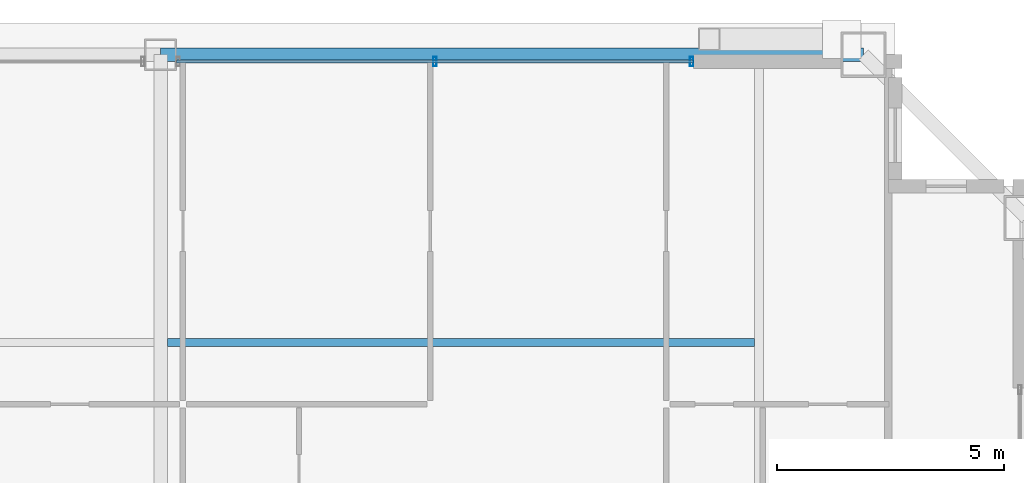
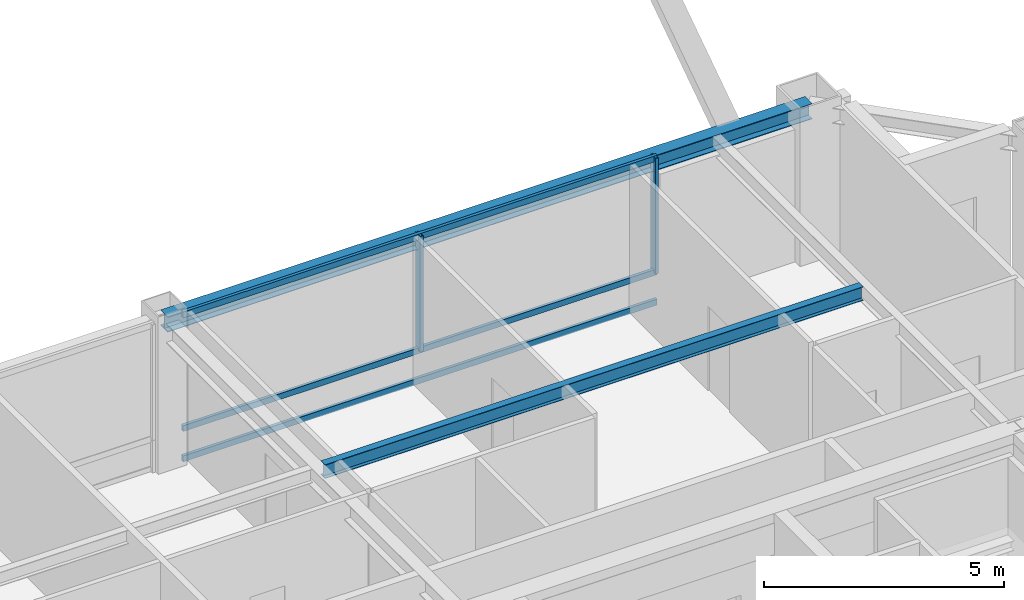
# One storey, part 18 of 35: 5 members, 2 beams, 1 element without a shape of its own.
"""IFC4 building model written with IfcOpenShell, lengths in metres."""

from ifc_helpers import new_model, si_unit, direction, frame, origin, origin_2d, place, context, subcontext, project, spatial, hollow_rectangle, i_section, extrude, source, transform, mapped, material, layer, layer_set, material_profile, profile_set, type_object, element, aggregate, save


model = new_model("IFC4")

# Units and contexts
model_context = context("Model", 3, precision=1e-05, world=origin(), true_north=direction((0.0, 1.0)))
body_context = subcontext(model_context, "Body", "Model", "MODEL_VIEW")
ifc_project = project(units=[si_unit("LENGTHUNIT", "METRE"), si_unit("AREAUNIT", "SQUARE_METRE"), si_unit("VOLUMEUNIT", "CUBIC_METRE"), si_unit("PLANEANGLEUNIT", "RADIAN"), si_unit("MASSUNIT", "GRAM", prefix="KILO"), si_unit("THERMODYNAMICTEMPERATUREUNIT", "KELVIN"), si_unit("POWERUNIT", "WATT")], contexts=[model_context])

# Site, building, storey
site_placement = place(None, origin())
site = spatial("IfcSite", under=ifc_project, at=site_placement, CompositionType="ELEMENT")
building_placement = place(site_placement, origin())
building = spatial("IfcBuilding", under=site, at=building_placement, Name="Yuzanri Waterfront Tower", CompositionType="ELEMENT")
storey_placement = place(building_placement, frame((0.0, 0.0, 343.199951171875)))
storey = spatial("IfcBuildingStorey", under=building, at=storey_placement, Name="L92", CompositionType="ELEMENT", Elevation=343.199951171875)

# Beams
ifc_material_1 = material(Name="Steel Q355B", Category="steel")
ifc_material_profile_1 = material_profile(ifc_material_1, i_section(OverallWidth=0.175048828125, OverallDepth=0.35009765625, WebThickness=0.007080078125, FlangeThickness=0.010986328125, at=origin_2d()), Name="HN 350x175x7x11")
ifc_profile_set_1 = profile_set([ifc_material_profile_1], Name="Steel Q355B")
beam_type_1 = type_object("IfcBeamType", Name="Floor Joist Q355B HN 350x175", PredefinedType="JOIST", material=ifc_profile_set_1)
shared_shape_1 = source(origin(), body_context, "Body", "SweptSolid", [
    extrude(i_section(OverallWidth=0.175048828125, OverallDepth=0.35009765625, WebThickness=0.007080078125, FlangeThickness=0.010986328125, at=origin_2d()), origin(), (0.0, 0.0, 1.0), 12.9501953125),
])
beam_1_placement = place(storey_placement, frame((37.14990234375, 38.550048828125, 3.5849609375), z_axis=(1.0, 0.0, 0.0), x_axis=(0.0, 1.0, 0.0)))
element("IfcBeam", 1, at=beam_1_placement, inside=storey, type_object=beam_type_1, Name="L92 North Bay Joist E", PredefinedType="JOIST", context=body_context, shape_type="MappedRepresentation", body=[
    mapped(shared_shape_1, transform((0.0, 0.0, 0.0), scale=1.0)),
])
ifc_material_2 = material(Name="Steel Q355B", Category="steel")
ifc_material_profile_2 = material_profile(ifc_material_2, i_section(OverallWidth=0.300048828125, OverallDepth=0.389892578125, WebThickness=0.010009765625, FlangeThickness=0.01611328125, at=origin_2d()), Name="HM 390x300x10x16")
ifc_profile_set_2 = profile_set([ifc_material_profile_2], Name="Steel Q355B")
beam_type_2 = type_object("IfcBeamType", Name="Perimeter Spandrel Q355B HM 390x300", PredefinedType="SPANDREL", material=ifc_profile_set_2)
shared_shape_2 = source(origin(), body_context, "Body", "SweptSolid", [
    extrude(i_section(OverallWidth=0.300048828125, OverallDepth=0.389892578125, WebThickness=0.010009765625, FlangeThickness=0.01611328125, at=origin_2d()), origin(), (0.0, 0.0, 1.0), 15.5),
])
beam_2_placement = place(storey_placement, frame((52.5, 44.89990234375, 3.56494140625), z_axis=(-1.0, 0.0, 0.0), x_axis=(0.0, -1.0, 0.0)))
element("IfcBeam", 2, at=beam_2_placement, inside=storey, type_object=beam_type_2, Name="L92 Perimeter Spandrel N3-N2", PredefinedType="SPANDREL", context=body_context, shape_type="MappedRepresentation", body=[
    mapped(shared_shape_2, transform((0.0, 0.0, 0.0), scale=1.0)),
])

# Curtain wall, members
ifc_material_3 = material(Name="Anodized Architectural Bronze", Category="metal")
ifc_layer = layer(ifc_material_3, 0.159912109375)
ifc_layer_set = layer_set([ifc_layer], Name="Anodized Architectural Bronze")
curtain_wall_type = type_object("IfcCurtainWallType", Name="Anodized Bronze High-Rise Penthouse High-Wind Unitized Curtain Wall 6900", PredefinedType="NOTDEFINED", material=ifc_layer_set)
curtain_wall_placement = place(storey_placement, origin())
curtain_wall = element("IfcCurtainWall", 3, at=curtain_wall_placement, inside=storey, type_object=curtain_wall_type, Name="L92 Curtain Wall CW-L92-NR", PredefinedType="NOTDEFINED")
ifc_material_4 = material(Name="Anodized Architectural Bronze", Category="metal")
ifc_material_profile_3 = material_profile(ifc_material_4, hollow_rectangle(XDim=0.074951171875, YDim=0.14990234375, WallThickness=0.00390625, at=origin_2d()), Name="CWT 75x150")
ifc_profile_set_3 = profile_set([ifc_material_profile_3], Name="Anodized Architectural Bronze")
member_type_1 = type_object("IfcMemberType", Name="Anodized Bronze Primary Curtain-Wall Transom 75x150", PredefinedType="USERDEFINED", material=ifc_profile_set_3)
shared_shape_3 = source(origin(), body_context, "Body", "SweptSolid", [
    extrude(hollow_rectangle(XDim=0.074951171875, YDim=0.14990234375, WallThickness=0.00390625, at=origin_2d()), origin(), (0.0, 0.0, 1.0), 11.39990234375),
])
member_1_placement = place(storey_placement, frame((37.35009765625, 44.75, 0.050048828125), z_axis=(1.0, 0.0, 0.0), x_axis=(0.0, 1.0, 0.0)))
member_1 = element("IfcMember", 4, at=member_1_placement, type_object=member_type_1, Name="CW-L92-NR Transom 1", ObjectType="TRANSOM", PredefinedType="USERDEFINED", context=body_context, shape_type="MappedRepresentation", body=[
    mapped(shared_shape_3, transform((0.0, 0.0, 0.0), scale=1.0)),
])
member_2_placement = place(storey_placement, frame((37.35009765625, 44.75, 0.820068359375), z_axis=(1.0, 0.0, 0.0), x_axis=(0.0, 1.0, 0.0)))
member_2 = element("IfcMember", 5, at=member_2_placement, type_object=member_type_1, Name="CW-L92-NR Transom 2", ObjectType="TRANSOM", PredefinedType="USERDEFINED", context=body_context, shape_type="MappedRepresentation", body=[
    mapped(shared_shape_3, transform((0.0, 0.0, 0.0), scale=1.0)),
])
member_3_placement = place(storey_placement, frame((37.35009765625, 44.75, 3.7099609375), z_axis=(1.0, 0.0, 0.0), x_axis=(0.0, 1.0, 0.0)))
member_3 = element("IfcMember", 6, at=member_3_placement, type_object=member_type_1, Name="CW-L92-NR Transom 3", ObjectType="TRANSOM", PredefinedType="USERDEFINED", context=body_context, shape_type="MappedRepresentation", body=[
    mapped(shared_shape_3, transform((0.0, 0.0, 0.0), scale=1.0)),
])
ifc_material_5 = material(Name="Anodized Architectural Bronze", Category="metal")
ifc_material_profile_4 = material_profile(ifc_material_5, hollow_rectangle(XDim=0.074951171875, YDim=0.199951171875, WallThickness=0.00390625, at=origin_2d()), Name="CWM 75x200")
ifc_profile_set_4 = profile_set([ifc_material_profile_4], Name="Anodized Architectural Bronze")
member_type_2 = type_object("IfcMemberType", Name="Anodized Bronze Primary Curtain-Wall Mullion 75x200", PredefinedType="MULLION", material=ifc_profile_set_4)
shared_shape_4 = source(origin(), body_context, "Body", "SweptSolid", [
    extrude(hollow_rectangle(XDim=0.074951171875, YDim=0.199951171875, WallThickness=0.00390625, at=origin_2d()), origin(), (0.0, 0.0, 1.0), 2.93798828125),
])
member_4_placement = place(storey_placement, frame((43.050048828125, 44.75, 0.822021484375), z_axis=(0.0, 0.0, 1.0), x_axis=(1.0, 0.0, 0.0)))
member_4 = element("IfcMember", 7, at=member_4_placement, type_object=member_type_2, Name="CW-L92-NR Upper Mullion 01", PredefinedType="MULLION", context=body_context, shape_type="MappedRepresentation", body=[
    mapped(shared_shape_4, transform((0.0, 0.0, 0.0), scale=1.0)),
])
member_5_placement = place(storey_placement, frame((48.7099609375, 44.75, 0.822021484375), z_axis=(0.0, 0.0, 1.0), x_axis=(1.0, 0.0, 0.0)))
member_5 = element("IfcMember", 8, at=member_5_placement, type_object=member_type_2, Name="CW-L92-NR Upper Mullion 02", PredefinedType="MULLION", context=body_context, shape_type="MappedRepresentation", body=[
    mapped(shared_shape_4, transform((0.0, 0.0, 0.0), scale=1.0)),
])
aggregate(curtain_wall, [member_4, member_5, member_1, member_2, member_3])

save(model, "model.ifc")
